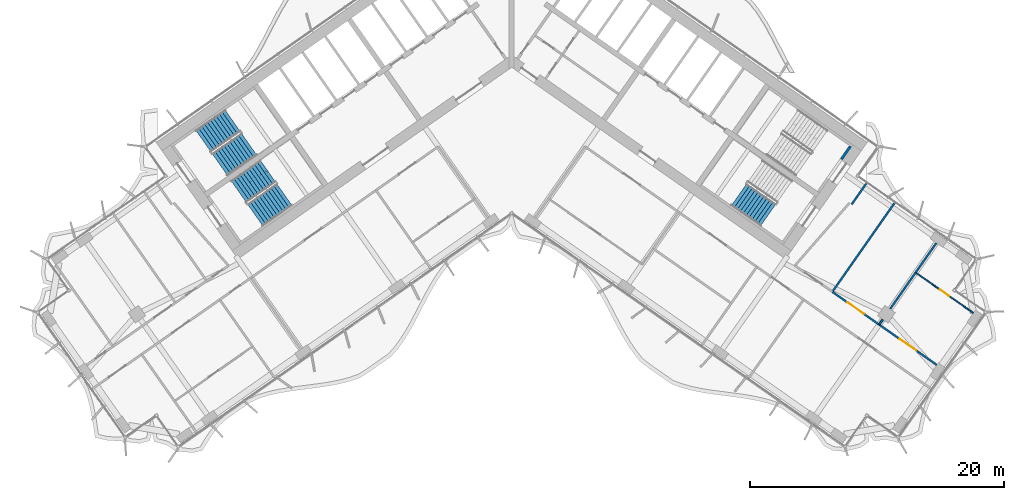
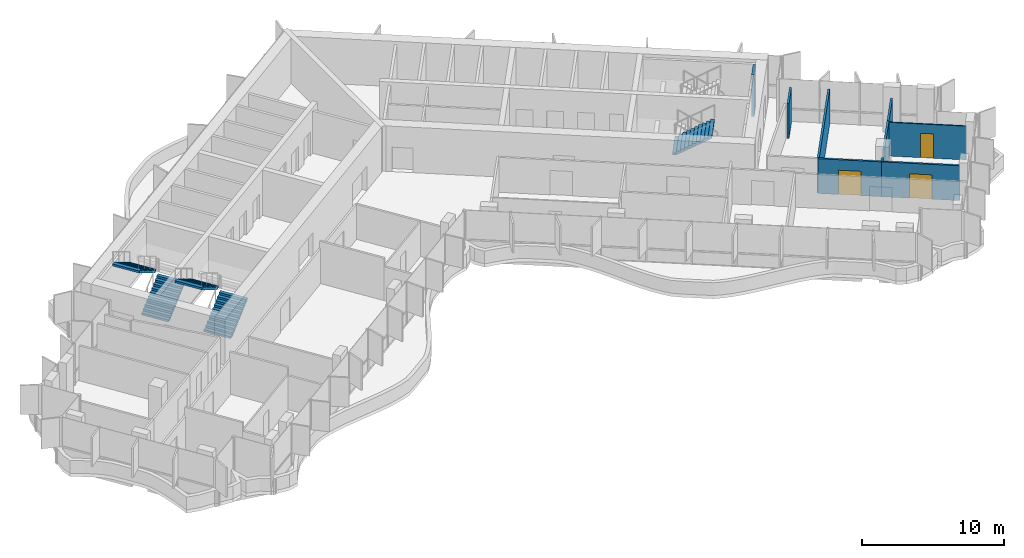
# One storey, part 17 of 23: 9 walls, 5 stair flights, 3 doors, 3 openings, 3 elements without a shape of their own.
"""IFC4 building model written with IfcOpenShell, lengths in metres."""

from ifc_helpers import new_model, si_unit, direction, frame, frame_2d, origin, place, context, subcontext, project, spatial, polyline, rectangle, outline, extrude, material, layer, layer_set, type_object, element, fill, aggregate, save


model = new_model("IFC4")

# Units and contexts
model_context = context("Model", 3, precision=1e-05, world=origin(), true_north=direction((0.0, 1.0)))
body_context = subcontext(model_context, "Body", "Model", "MODEL_VIEW")
ifc_project = project(units=[si_unit("LENGTHUNIT", "METRE"), si_unit("AREAUNIT", "SQUARE_METRE"), si_unit("VOLUMEUNIT", "CUBIC_METRE"), si_unit("PLANEANGLEUNIT", "RADIAN"), si_unit("MASSUNIT", "GRAM", prefix="KILO")], contexts=[model_context])

# Site, building, storey
site_placement = place(None, origin())
site = spatial("IfcSite", under=ifc_project, at=site_placement, CompositionType="ELEMENT")
building_placement = place(site_placement, origin())
building = spatial("IfcBuilding", under=site, at=building_placement, Name="Tel Ilan Convention Tower", CompositionType="ELEMENT")
storey_placement = place(building_placement, frame((0.0, 0.0, 171.0)))
storey = spatial("IfcBuildingStorey", under=building, at=storey_placement, Name="L39", CompositionType="ELEMENT", Elevation=171.0)

# Wall, opening, door
ifc_material_1 = material(Name="Plasterboard on Steel Studs", Category="steel")
ifc_layer_1 = layer(ifc_material_1, 0.14990234375)
ifc_layer_set_1 = layer_set([ifc_layer_1], Name="Fire-rated Partition 150 EI 60")
wall_type_1 = type_object("IfcWallType", Name="Fire-rated Partition 150 EI 60", PredefinedType="PARTITIONING", material=ifc_layer_set_1)
wall_1_placement = place(storey_placement, frame((25.22802734375, -18.8857421875, 0.0), z_axis=(0.0, 0.0, 1.0), x_axis=(0.819165703328, -0.573556928727, 0.0)))
wall_1 = element("IfcWall", 1, at=wall_1_placement, inside=storey, type_object=wall_type_1, Name="Partition 002", PredefinedType="PARTITIONING", context=body_context, shape_type="SweptSolid", body=[
    extrude(rectangle(XDim=4.50390625, YDim=0.14990234375, at=frame_2d((2.251953125, 0.0))), origin(), (0.0, 0.0, 1.0), 3.0),
])
opening_1_placement = place(wall_1_placement, frame((1.451904296875, 0.0, 0.0)))
opening_1 = element("IfcOpeningElement", 2, at=opening_1_placement, cuts=wall_1, Name="Opening L39-018", PredefinedType="OPENING", context=body_context, shape_type="SweptSolid", body=[
    extrude(rectangle(XDim=1.60009765625, YDim=2.10009765625, at=frame_2d((0.800048828125, 1.050048828125))), frame((0.0, 0.0849609375, 0.0), z_axis=(0.0, -1.0, 0.0), x_axis=(1.0, 0.0, 0.0)), (0.0, 0.0, 1.0), 0.169921875),
])
ifc_material_2 = material(Name="Timber Door Leaf in Steel Frame", Category="steel")
door_type_1 = type_object("IfcDoorType", Name="Tenant Suite Entrance Fire Door 1600x2100", OperationType="NOTDEFINED", PredefinedType="DOOR", material=ifc_material_2)
door_1_placement = place(opening_1_placement, origin())
door_1 = element("IfcDoor", 3, at=door_1_placement, inside=storey, type_object=door_type_1, Name="Door L39-018", OperationType="DOUBLE_DOOR_SINGLE_SWING", OverallHeight=2.10009765625, OverallWidth=1.60009765625, PredefinedType="DOOR", context=body_context, shape_type="SweptSolid", body=[
    extrude(rectangle(XDim=1.60009765625, YDim=2.10009765625, at=frame_2d((0.800048828125, 1.050048828125))), frame((0.0, 0.02490234375, 0.0), z_axis=(0.0, -1.0, 0.0), x_axis=(1.0, 0.0, 0.0)), (0.0, 0.0, 1.0), 0.050048828125),
])
fill(opening_1, door_1)

wall_2_placement = place(storey_placement, frame((28.914306640625, -21.466796875, 0.0), z_axis=(0.0, 0.0, 1.0), x_axis=(0.819142757108, -0.573589699592, 0.0)))
wall_2 = element("IfcWall", 4, at=wall_2_placement, inside=storey, type_object=wall_type_1, Name="Partition 003", PredefinedType="PARTITIONING", context=body_context, shape_type="SweptSolid", body=[
    extrude(rectangle(XDim=5.531982421875, YDim=0.14990234375, at=frame_2d((2.76611328125, 0.0))), origin(), (0.0, 0.0, 1.0), 3.0),
])
opening_2_placement = place(wall_2_placement, frame((1.966064453125, 0.0, 0.0)))
opening_2 = element("IfcOpeningElement", 5, at=opening_2_placement, cuts=wall_2, Name="Opening L39-019", PredefinedType="OPENING", context=body_context, shape_type="SweptSolid", body=[
    extrude(rectangle(XDim=1.60009765625, YDim=2.10009765625, at=frame_2d((0.800048828125, 1.050048828125))), frame((0.0, 0.0849609375, 0.0), z_axis=(0.0, -1.0, 0.0), x_axis=(1.0, 0.0, 0.0)), (0.0, 0.0, 1.0), 0.169921875),
])
door_2_placement = place(opening_2_placement, origin())
door_2 = element("IfcDoor", 6, at=door_2_placement, inside=storey, type_object=door_type_1, Name="Door L39-019", OperationType="DOUBLE_DOOR_SINGLE_SWING", OverallHeight=2.10009765625, OverallWidth=1.60009765625, PredefinedType="DOOR", context=body_context, shape_type="SweptSolid", body=[
    extrude(rectangle(XDim=1.60009765625, YDim=2.10009765625, at=frame_2d((0.800048828125, 1.050048828125))), frame((0.0, 0.02490234375, 0.0), z_axis=(0.0, -1.0, 0.0), x_axis=(1.0, 0.0, 0.0)), (0.0, 0.0, 1.0), 0.050048828125),
])
fill(opening_2, door_2)

# Walls
wall_3_placement = place(storey_placement, frame((30.10498046875, -11.924072265625, 0.0), z_axis=(0.0, 0.0, 1.0), x_axis=(-0.573572219642, -0.819154996844, 0.0)))
element("IfcWall", 7, at=wall_3_placement, inside=storey, type_object=wall_type_1, Name="Partition 017", PredefinedType="PARTITIONING", context=body_context, shape_type="SweptSolid", body=[
    extrude(rectangle(XDim=8.499755859375, YDim=0.14990234375, at=frame_2d((4.25, 0.0))), origin(), (0.0, 0.0, 1.0), 3.0),
])
wall_4_placement = place(storey_placement, frame((26.74609375, -12.013671875, 0.0), z_axis=(0.0, 0.0, 1.0), x_axis=(0.573568836472, 0.819157365729, 0.0)))
element("IfcWall", 8, at=wall_4_placement, inside=storey, type_object=wall_type_1, Name="Partition 019", PredefinedType="PARTITIONING", context=body_context, shape_type="SweptSolid", body=[
    extrude(rectangle(XDim=2.000244140625, YDim=0.14990234375, at=frame_2d((1.0, 0.0))), origin(), (0.0, 0.0, 1.0), 3.0),
])
wall_5_placement = place(storey_placement, frame((33.406982421875, -15.053955078125, 0.0), z_axis=(0.0, 0.0, 1.0), x_axis=(-0.573560731169, -0.819163040952, 0.0)))
element("IfcWall", 9, at=wall_5_placement, inside=storey, type_object=wall_type_1, Name="Partition 020", PredefinedType="PARTITIONING", context=body_context, shape_type="SweptSolid", body=[
    extrude(rectangle(XDim=2.8310546875, YDim=0.14990234375, at=frame_2d((1.41552734375, 0.0))), origin(), (0.0, 0.0, 1.0), 3.0),
])
wall_6_placement = place(storey_placement, frame((31.784912109375, -17.37060546875, 0.0), z_axis=(0.0, 0.0, 1.0), x_axis=(-0.573598798985, -0.819136385349, 0.0)))
element("IfcWall", 10, at=wall_6_placement, inside=storey, type_object=wall_type_1, Name="Partition 021", PredefinedType="PARTITIONING", context=body_context, shape_type="SweptSolid", body=[
    extrude(rectangle(XDim=3.482177734375, YDim=0.14990234375, at=frame_2d((1.7412109375, 0.0))), origin(), (0.0, 0.0, 1.0), 3.0),
])
wall_7_placement = place(storey_placement, frame((29.191162109375, -21.07470703125, 0.0), z_axis=(0.0, 0.0, 1.0), x_axis=(-0.57322336738, -0.819399152483, 0.0)))
element("IfcWall", 11, at=wall_7_placement, inside=storey, type_object=wall_type_1, Name="Partition 022", PredefinedType="PARTITIONING", context=body_context, shape_type="SweptSolid", body=[
    extrude(rectangle(XDim=0.47998046875, YDim=0.14990234375, at=frame_2d((0.239990234375, 0.0))), origin(), (0.0, 0.0, 1.0), 3.0),
])

# Wall, opening, door
ifc_material_3 = material(Name="Plasterboard on Steel Studs", Category="steel")
ifc_layer_2 = layer(ifc_material_3, 0.10009765625)
ifc_layer_set_2 = layer_set([ifc_layer_2], Name="Plasterboard Partition 100")
wall_type_2 = type_object("IfcWallType", Name="Plasterboard Partition 100", PredefinedType="PARTITIONING", material=ifc_layer_set_2)
wall_8_placement = place(storey_placement, frame((31.784423828125, -17.371337890625, 0.0), z_axis=(0.0, 0.0, 1.0), x_axis=(0.819144797823, -0.573586785238, 0.0)))
wall_8 = element("IfcWall", 12, at=wall_8_placement, inside=storey, type_object=wall_type_2, Name="Partition 023", PredefinedType="PARTITIONING", context=body_context, shape_type="SweptSolid", body=[
    extrude(rectangle(XDim=5.52978515625, YDim=0.10009765625, at=frame_2d((2.764892578125, 0.0))), origin(), (0.0, 0.0, 1.0), 2.89990234375),
])
opening_3_placement = place(wall_8_placement, frame((2.31494140625, 0.0, 0.0)))
opening_3 = element("IfcOpeningElement", 13, at=opening_3_placement, cuts=wall_8, Name="Opening L39-020", PredefinedType="OPENING", context=body_context, shape_type="SweptSolid", body=[
    extrude(rectangle(XDim=0.89990234375, YDim=2.10009765625, at=frame_2d((0.449951171875, 1.050048828125))), frame((0.0, 0.06005859375, 0.0), z_axis=(0.0, -1.0, 0.0), x_axis=(1.0, 0.0, 0.0)), (0.0, 0.0, 1.0), 0.1201171875),
])
ifc_material_4 = material(Name="Timber Door Leaf in Steel Frame", Category="steel")
door_type_2 = type_object("IfcDoorType", Name="Room Timber Door 900x2100", OperationType="NOTDEFINED", PredefinedType="DOOR", material=ifc_material_4)
door_3_placement = place(opening_3_placement, origin())
door_3 = element("IfcDoor", 14, at=door_3_placement, inside=storey, type_object=door_type_2, Name="Door L39-020", OperationType="SINGLE_SWING_RIGHT", OverallHeight=2.10009765625, OverallWidth=0.89990234375, PredefinedType="DOOR", context=body_context, shape_type="SweptSolid", body=[
    extrude(rectangle(XDim=0.89990234375, YDim=2.10009765625, at=frame_2d((0.449951171875, 1.050048828125))), frame((0.0, 0.02490234375, 0.0), z_axis=(0.0, -1.0, 0.0), x_axis=(1.0, 0.0, 0.0)), (0.0, 0.0, 1.0), 0.050048828125),
])
fill(opening_3, door_3)

# Wall
ifc_material_5 = material(Name="Concrete C30/37", Category="concrete")
ifc_layer_3 = layer(ifc_material_5, 0.199951171875)
ifc_layer_set_3 = layer_set([ifc_layer_3], Name="Stair and Shaft Lining Wall 200 mm C30/37")
wall_type_3 = type_object("IfcWallType", Name="Stair and Shaft Lining Wall 200 mm C30/37", PredefinedType="SOLIDWALL", material=ifc_layer_set_3)
wall_9_placement = place(storey_placement, frame((25.939697265625, -8.4580078125, 0.0), z_axis=(0.0, 0.0, 1.0), x_axis=(0.573619628835, 0.819121798889, 0.0)))
element("IfcWall", 15, at=wall_9_placement, inside=storey, type_object=wall_type_3, Name="L39 core wall lining-S3-u1-1", PredefinedType="SOLIDWALL", context=body_context, shape_type="SweptSolid", body=[
    extrude(rectangle(XDim=1.25, YDim=0.199951171875, at=frame_2d((0.625, 0.0))), origin(), (0.0, 0.0, 1.0), 3.6201171875),
])

# Stair, stair flights
ifc_material_6 = material(Name="Concrete C40/50", Category="concrete")
stair_type = type_object("IfcStairType", Name="Pressurised Exit Stair 22 risers 177 mm", PredefinedType="HALF_TURN_STAIR", material=ifc_material_6)
stair_1_placement = place(storey_placement, origin())
stair_1 = element("IfcStair", 16, at=stair_1_placement, inside=storey, type_object=stair_type, Name="L39 Pressurised Stair S1", PredefinedType="HALF_TURN_STAIR")
ifc_material_7 = material(Name="Precast Concrete C40/50", Category="concrete")
stair_flight_type = type_object("IfcStairFlightType", Name="Concrete Stair Flight 2100 mm 22 risers 177 mm", PredefinedType="STRAIGHT", material=ifc_material_7)
stair_flight_1_placement = place(storey_placement, frame((-22.9619140625, -8.87548828125, 0.0), z_axis=(0.0, 0.0, 1.0), x_axis=(0.819152044289, 0.573576436351, 0.0)))
stair_flight_1 = element("IfcStairFlight", 17, at=stair_flight_1_placement, type_object=stair_flight_type, Name="S1 flight 1", NumberOfRisers=11, NumberOfTreads=10, PredefinedType="STRAIGHT", RiserHeight=0.177272727, TreadLength=0.28, context=body_context, shape_type="SweptSolid", body=[
    extrude(outline(polyline([(0.0, 0.0), (0.0, 0.17724609375), (0.280029296875, 0.17724609375), (0.280029296875, 0.3544921875), (0.56005859375, 0.3544921875), (0.56005859375, 0.53173828125), (0.840087890625, 0.53173828125), (0.840087890625, 0.708984375), (1.1201171875, 0.708984375), (1.1201171875, 0.886474609375), (1.39990234375, 0.886474609375), (1.39990234375, 1.063720703125), (1.679931640625, 1.063720703125), (1.679931640625, 1.240966796875), (1.9599609375, 1.240966796875), (1.9599609375, 1.418212890625), (2.239990234375, 1.418212890625), (2.239990234375, 1.595458984375), (2.52001953125, 1.595458984375), (2.52001953125, 1.772705078125), (2.800048828125, 1.772705078125), (2.800048828125, 1.949951171875), (2.800048828125, 1.59521484375), (0.2802734375, 0.0), (0.0, 0.0)])), frame((0.0, -0.100341796875, 0.0), z_axis=(0.0, -1.0, 0.0), x_axis=(1.0, 0.0, 0.0)), (0.0, 0.0, 1.0), 0.94970703125),
    extrude(outline(polyline([(0.0, 0.0), (0.0, 0.17724609375), (0.280029296875, 0.17724609375), (0.280029296875, 0.3544921875), (0.56005859375, 0.3544921875), (0.56005859375, 0.53173828125), (0.840087890625, 0.53173828125), (0.840087890625, 0.708984375), (1.1201171875, 0.708984375), (1.1201171875, 0.886474609375), (1.39990234375, 0.886474609375), (1.39990234375, 1.063720703125), (1.679931640625, 1.063720703125), (1.679931640625, 1.240966796875), (1.9599609375, 1.240966796875), (1.9599609375, 1.418212890625), (2.239990234375, 1.418212890625), (2.239990234375, 1.595458984375), (2.52001953125, 1.595458984375), (2.52001953125, 1.772705078125), (2.800048828125, 1.772705078125), (2.800048828125, 1.949951171875), (2.800048828125, 1.59521484375), (0.2802734375, 0.0), (0.0, 0.0)])), frame((0.0, -0.000244140625, 0.0), z_axis=(0.0, -1.0, 0.0), x_axis=(1.0, 0.0, 0.0)), (0.0, 0.0, 1.0), 0.099609375),
    extrude(outline(polyline([(0.0, 0.0), (0.0, 0.17724609375), (0.280029296875, 0.17724609375), (0.280029296875, 0.3544921875), (0.56005859375, 0.3544921875), (0.56005859375, 0.53173828125), (0.840087890625, 0.53173828125), (0.840087890625, 0.708984375), (1.1201171875, 0.708984375), (1.1201171875, 0.886474609375), (1.39990234375, 0.886474609375), (1.39990234375, 1.063720703125), (1.679931640625, 1.063720703125), (1.679931640625, 1.240966796875), (1.9599609375, 1.240966796875), (1.9599609375, 1.418212890625), (2.239990234375, 1.418212890625), (2.239990234375, 1.595458984375), (2.52001953125, 1.595458984375), (2.52001953125, 1.772705078125), (2.800048828125, 1.772705078125), (2.800048828125, 1.949951171875), (2.800048828125, 1.59521484375), (0.2802734375, 0.0), (0.0, 0.0)])), frame((0.0, 0.099853515625, 0.0), z_axis=(0.0, -1.0, 0.0), x_axis=(1.0, 0.0, 0.0)), (0.0, 0.0, 1.0), 0.099609375),
    extrude(outline(polyline([(0.0, 0.0), (0.0, 0.17724609375), (0.280029296875, 0.17724609375), (0.280029296875, 0.3544921875), (0.56005859375, 0.3544921875), (0.56005859375, 0.53173828125), (0.840087890625, 0.53173828125), (0.840087890625, 0.708984375), (1.1201171875, 0.708984375), (1.1201171875, 0.886474609375), (1.39990234375, 0.886474609375), (1.39990234375, 1.063720703125), (1.679931640625, 1.063720703125), (1.679931640625, 1.240966796875), (1.9599609375, 1.240966796875), (1.9599609375, 1.418212890625), (2.239990234375, 1.418212890625), (2.239990234375, 1.595458984375), (2.52001953125, 1.595458984375), (2.52001953125, 1.772705078125), (2.800048828125, 1.772705078125), (2.800048828125, 1.949951171875), (2.800048828125, 1.59521484375), (0.2802734375, 0.0), (0.0, 0.0)])), frame((0.0, 1.050048828125, 0.0), z_axis=(0.0, -1.0, 0.0), x_axis=(1.0, 0.0, 0.0)), (0.0, 0.0, 1.0), 0.94970703125),
])
stair_flight_2_placement = place(storey_placement, frame((-21.958740234375, -5.42626953125, 1.949951171875), z_axis=(0.0, 0.0, 1.0), x_axis=(-0.819152044289, -0.573576436351, 0.0)))
stair_flight_2 = element("IfcStairFlight", 18, at=stair_flight_2_placement, type_object=stair_flight_type, Name="S1 flight 2", NumberOfRisers=11, NumberOfTreads=10, PredefinedType="STRAIGHT", RiserHeight=0.177272727, TreadLength=0.28, context=body_context, shape_type="SweptSolid", body=[
    extrude(outline(polyline([(0.0, 0.0), (0.0, 0.17724609375), (0.280029296875, 0.17724609375), (0.280029296875, 0.3544921875), (0.56005859375, 0.3544921875), (0.56005859375, 0.53173828125), (0.840087890625, 0.53173828125), (0.840087890625, 0.708984375), (1.1201171875, 0.708984375), (1.1201171875, 0.886474609375), (1.39990234375, 0.886474609375), (1.39990234375, 1.063720703125), (1.679931640625, 1.063720703125), (1.679931640625, 1.240966796875), (1.9599609375, 1.240966796875), (1.9599609375, 1.418212890625), (2.239990234375, 1.418212890625), (2.239990234375, 1.595458984375), (2.52001953125, 1.595458984375), (2.52001953125, 1.772705078125), (2.800048828125, 1.772705078125), (2.800048828125, 1.949951171875), (2.800048828125, 1.59521484375), (0.2802734375, 0.0), (0.0, 0.0)])), frame((0.0, -0.100341796875, 0.0), z_axis=(0.0, -1.0, 0.0), x_axis=(1.0, 0.0, 0.0)), (0.0, 0.0, 1.0), 0.94970703125),
    extrude(outline(polyline([(0.0, 0.0), (0.0, 0.17724609375), (0.280029296875, 0.17724609375), (0.280029296875, 0.3544921875), (0.56005859375, 0.3544921875), (0.56005859375, 0.53173828125), (0.840087890625, 0.53173828125), (0.840087890625, 0.708984375), (1.1201171875, 0.708984375), (1.1201171875, 0.886474609375), (1.39990234375, 0.886474609375), (1.39990234375, 1.063720703125), (1.679931640625, 1.063720703125), (1.679931640625, 1.240966796875), (1.9599609375, 1.240966796875), (1.9599609375, 1.418212890625), (2.239990234375, 1.418212890625), (2.239990234375, 1.595458984375), (2.52001953125, 1.595458984375), (2.52001953125, 1.772705078125), (2.800048828125, 1.772705078125), (2.800048828125, 1.949951171875), (2.800048828125, 1.59521484375), (0.2802734375, 0.0), (0.0, 0.0)])), frame((0.0, -0.000244140625, 0.0), z_axis=(0.0, -1.0, 0.0), x_axis=(1.0, 0.0, 0.0)), (0.0, 0.0, 1.0), 0.099609375),
    extrude(outline(polyline([(0.0, 0.0), (0.0, 0.17724609375), (0.280029296875, 0.17724609375), (0.280029296875, 0.3544921875), (0.56005859375, 0.3544921875), (0.56005859375, 0.53173828125), (0.840087890625, 0.53173828125), (0.840087890625, 0.708984375), (1.1201171875, 0.708984375), (1.1201171875, 0.886474609375), (1.39990234375, 0.886474609375), (1.39990234375, 1.063720703125), (1.679931640625, 1.063720703125), (1.679931640625, 1.240966796875), (1.9599609375, 1.240966796875), (1.9599609375, 1.418212890625), (2.239990234375, 1.418212890625), (2.239990234375, 1.595458984375), (2.52001953125, 1.595458984375), (2.52001953125, 1.772705078125), (2.800048828125, 1.772705078125), (2.800048828125, 1.949951171875), (2.800048828125, 1.59521484375), (0.2802734375, 0.0), (0.0, 0.0)])), frame((0.0, 0.099853515625, 0.0), z_axis=(0.0, -1.0, 0.0), x_axis=(1.0, 0.0, 0.0)), (0.0, 0.0, 1.0), 0.099609375),
    extrude(outline(polyline([(0.0, 0.0), (0.0, 0.17724609375), (0.280029296875, 0.17724609375), (0.280029296875, 0.3544921875), (0.56005859375, 0.3544921875), (0.56005859375, 0.53173828125), (0.840087890625, 0.53173828125), (0.840087890625, 0.708984375), (1.1201171875, 0.708984375), (1.1201171875, 0.886474609375), (1.39990234375, 0.886474609375), (1.39990234375, 1.063720703125), (1.679931640625, 1.063720703125), (1.679931640625, 1.240966796875), (1.9599609375, 1.240966796875), (1.9599609375, 1.418212890625), (2.239990234375, 1.418212890625), (2.239990234375, 1.595458984375), (2.52001953125, 1.595458984375), (2.52001953125, 1.772705078125), (2.800048828125, 1.772705078125), (2.800048828125, 1.949951171875), (2.800048828125, 1.59521484375), (0.2802734375, 0.0), (0.0, 0.0)])), frame((0.0, 1.050048828125, 0.0), z_axis=(0.0, -1.0, 0.0), x_axis=(1.0, 0.0, 0.0)), (0.0, 0.0, 1.0), 0.94970703125),
])
aggregate(stair_1, [stair_flight_1, stair_flight_2])

stair_2_placement = place(storey_placement, origin())
stair_2 = element("IfcStair", 19, at=stair_2_placement, inside=storey, type_object=stair_type, Name="L39 Pressurised Stair S2", PredefinedType="HALF_TURN_STAIR")
stair_flight_3_placement = place(storey_placement, frame((-20.179931640625, -12.848388671875, 0.0), z_axis=(0.0, 0.0, 1.0), x_axis=(0.819152044289, 0.573576436351, 0.0)))
stair_flight_3 = element("IfcStairFlight", 20, at=stair_flight_3_placement, type_object=stair_flight_type, Name="S2 flight 1", NumberOfRisers=11, NumberOfTreads=10, PredefinedType="STRAIGHT", RiserHeight=0.177272727, TreadLength=0.28, context=body_context, shape_type="SweptSolid", body=[
    extrude(outline(polyline([(0.0, 0.0), (0.0, 0.17724609375), (0.280029296875, 0.17724609375), (0.280029296875, 0.3544921875), (0.56005859375, 0.3544921875), (0.56005859375, 0.53173828125), (0.840087890625, 0.53173828125), (0.840087890625, 0.708984375), (1.1201171875, 0.708984375), (1.1201171875, 0.886474609375), (1.39990234375, 0.886474609375), (1.39990234375, 1.063720703125), (1.679931640625, 1.063720703125), (1.679931640625, 1.240966796875), (1.9599609375, 1.240966796875), (1.9599609375, 1.418212890625), (2.239990234375, 1.418212890625), (2.239990234375, 1.595458984375), (2.52001953125, 1.595458984375), (2.52001953125, 1.772705078125), (2.800048828125, 1.772705078125), (2.800048828125, 1.949951171875), (2.800048828125, 1.59521484375), (0.2802734375, 0.0), (0.0, 0.0)])), frame((0.0, -0.100341796875, 0.0), z_axis=(0.0, -1.0, 0.0), x_axis=(1.0, 0.0, 0.0)), (0.0, 0.0, 1.0), 0.94970703125),
    extrude(outline(polyline([(0.0, 0.0), (0.0, 0.17724609375), (0.280029296875, 0.17724609375), (0.280029296875, 0.3544921875), (0.56005859375, 0.3544921875), (0.56005859375, 0.53173828125), (0.840087890625, 0.53173828125), (0.840087890625, 0.708984375), (1.1201171875, 0.708984375), (1.1201171875, 0.886474609375), (1.39990234375, 0.886474609375), (1.39990234375, 1.063720703125), (1.679931640625, 1.063720703125), (1.679931640625, 1.240966796875), (1.9599609375, 1.240966796875), (1.9599609375, 1.418212890625), (2.239990234375, 1.418212890625), (2.239990234375, 1.595458984375), (2.52001953125, 1.595458984375), (2.52001953125, 1.772705078125), (2.800048828125, 1.772705078125), (2.800048828125, 1.949951171875), (2.800048828125, 1.59521484375), (0.2802734375, 0.0), (0.0, 0.0)])), frame((0.0, -0.000244140625, 0.0), z_axis=(0.0, -1.0, 0.0), x_axis=(1.0, 0.0, 0.0)), (0.0, 0.0, 1.0), 0.099609375),
    extrude(outline(polyline([(0.0, 0.0), (0.0, 0.17724609375), (0.280029296875, 0.17724609375), (0.280029296875, 0.3544921875), (0.56005859375, 0.3544921875), (0.56005859375, 0.53173828125), (0.840087890625, 0.53173828125), (0.840087890625, 0.708984375), (1.1201171875, 0.708984375), (1.1201171875, 0.886474609375), (1.39990234375, 0.886474609375), (1.39990234375, 1.063720703125), (1.679931640625, 1.063720703125), (1.679931640625, 1.240966796875), (1.9599609375, 1.240966796875), (1.9599609375, 1.418212890625), (2.239990234375, 1.418212890625), (2.239990234375, 1.595458984375), (2.52001953125, 1.595458984375), (2.52001953125, 1.772705078125), (2.800048828125, 1.772705078125), (2.800048828125, 1.949951171875), (2.800048828125, 1.59521484375), (0.2802734375, 0.0), (0.0, 0.0)])), frame((0.0, 0.099853515625, 0.0), z_axis=(0.0, -1.0, 0.0), x_axis=(1.0, 0.0, 0.0)), (0.0, 0.0, 1.0), 0.099609375),
    extrude(outline(polyline([(0.0, 0.0), (0.0, 0.17724609375), (0.280029296875, 0.17724609375), (0.280029296875, 0.3544921875), (0.56005859375, 0.3544921875), (0.56005859375, 0.53173828125), (0.840087890625, 0.53173828125), (0.840087890625, 0.708984375), (1.1201171875, 0.708984375), (1.1201171875, 0.886474609375), (1.39990234375, 0.886474609375), (1.39990234375, 1.063720703125), (1.679931640625, 1.063720703125), (1.679931640625, 1.240966796875), (1.9599609375, 1.240966796875), (1.9599609375, 1.418212890625), (2.239990234375, 1.418212890625), (2.239990234375, 1.595458984375), (2.52001953125, 1.595458984375), (2.52001953125, 1.772705078125), (2.800048828125, 1.772705078125), (2.800048828125, 1.949951171875), (2.800048828125, 1.59521484375), (0.2802734375, 0.0), (0.0, 0.0)])), frame((0.0, 1.050048828125, 0.0), z_axis=(0.0, -1.0, 0.0), x_axis=(1.0, 0.0, 0.0)), (0.0, 0.0, 1.0), 0.94970703125),
])
stair_flight_4_placement = place(storey_placement, frame((-19.177001953125, -9.399169921875, 1.949951171875), z_axis=(0.0, 0.0, 1.0), x_axis=(-0.819152044289, -0.573576436351, 0.0)))
stair_flight_4 = element("IfcStairFlight", 21, at=stair_flight_4_placement, type_object=stair_flight_type, Name="S2 flight 2", NumberOfRisers=11, NumberOfTreads=10, PredefinedType="STRAIGHT", RiserHeight=0.177272727, TreadLength=0.28, context=body_context, shape_type="SweptSolid", body=[
    extrude(outline(polyline([(0.0, 0.0), (0.0, 0.17724609375), (0.280029296875, 0.17724609375), (0.280029296875, 0.3544921875), (0.56005859375, 0.3544921875), (0.56005859375, 0.53173828125), (0.840087890625, 0.53173828125), (0.840087890625, 0.708984375), (1.1201171875, 0.708984375), (1.1201171875, 0.886474609375), (1.39990234375, 0.886474609375), (1.39990234375, 1.063720703125), (1.679931640625, 1.063720703125), (1.679931640625, 1.240966796875), (1.9599609375, 1.240966796875), (1.9599609375, 1.418212890625), (2.239990234375, 1.418212890625), (2.239990234375, 1.595458984375), (2.52001953125, 1.595458984375), (2.52001953125, 1.772705078125), (2.800048828125, 1.772705078125), (2.800048828125, 1.949951171875), (2.800048828125, 1.59521484375), (0.2802734375, 0.0), (0.0, 0.0)])), frame((0.0, -0.100341796875, 0.0), z_axis=(0.0, -1.0, 0.0), x_axis=(1.0, 0.0, 0.0)), (0.0, 0.0, 1.0), 0.94970703125),
    extrude(outline(polyline([(0.0, 0.0), (0.0, 0.17724609375), (0.280029296875, 0.17724609375), (0.280029296875, 0.3544921875), (0.56005859375, 0.3544921875), (0.56005859375, 0.53173828125), (0.840087890625, 0.53173828125), (0.840087890625, 0.708984375), (1.1201171875, 0.708984375), (1.1201171875, 0.886474609375), (1.39990234375, 0.886474609375), (1.39990234375, 1.063720703125), (1.679931640625, 1.063720703125), (1.679931640625, 1.240966796875), (1.9599609375, 1.240966796875), (1.9599609375, 1.418212890625), (2.239990234375, 1.418212890625), (2.239990234375, 1.595458984375), (2.52001953125, 1.595458984375), (2.52001953125, 1.772705078125), (2.800048828125, 1.772705078125), (2.800048828125, 1.949951171875), (2.800048828125, 1.59521484375), (0.2802734375, 0.0), (0.0, 0.0)])), frame((0.0, -0.000244140625, 0.0), z_axis=(0.0, -1.0, 0.0), x_axis=(1.0, 0.0, 0.0)), (0.0, 0.0, 1.0), 0.099609375),
    extrude(outline(polyline([(0.0, 0.0), (0.0, 0.17724609375), (0.280029296875, 0.17724609375), (0.280029296875, 0.3544921875), (0.56005859375, 0.3544921875), (0.56005859375, 0.53173828125), (0.840087890625, 0.53173828125), (0.840087890625, 0.708984375), (1.1201171875, 0.708984375), (1.1201171875, 0.886474609375), (1.39990234375, 0.886474609375), (1.39990234375, 1.063720703125), (1.679931640625, 1.063720703125), (1.679931640625, 1.240966796875), (1.9599609375, 1.240966796875), (1.9599609375, 1.418212890625), (2.239990234375, 1.418212890625), (2.239990234375, 1.595458984375), (2.52001953125, 1.595458984375), (2.52001953125, 1.772705078125), (2.800048828125, 1.772705078125), (2.800048828125, 1.949951171875), (2.800048828125, 1.59521484375), (0.2802734375, 0.0), (0.0, 0.0)])), frame((0.0, 0.099853515625, 0.0), z_axis=(0.0, -1.0, 0.0), x_axis=(1.0, 0.0, 0.0)), (0.0, 0.0, 1.0), 0.099609375),
    extrude(outline(polyline([(0.0, 0.0), (0.0, 0.17724609375), (0.280029296875, 0.17724609375), (0.280029296875, 0.3544921875), (0.56005859375, 0.3544921875), (0.56005859375, 0.53173828125), (0.840087890625, 0.53173828125), (0.840087890625, 0.708984375), (1.1201171875, 0.708984375), (1.1201171875, 0.886474609375), (1.39990234375, 0.886474609375), (1.39990234375, 1.063720703125), (1.679931640625, 1.063720703125), (1.679931640625, 1.240966796875), (1.9599609375, 1.240966796875), (1.9599609375, 1.418212890625), (2.239990234375, 1.418212890625), (2.239990234375, 1.595458984375), (2.52001953125, 1.595458984375), (2.52001953125, 1.772705078125), (2.800048828125, 1.772705078125), (2.800048828125, 1.949951171875), (2.800048828125, 1.59521484375), (0.2802734375, 0.0), (0.0, 0.0)])), frame((0.0, 1.050048828125, 0.0), z_axis=(0.0, -1.0, 0.0), x_axis=(1.0, 0.0, 0.0)), (0.0, 0.0, 1.0), 0.94970703125),
])
aggregate(stair_2, [stair_flight_3, stair_flight_4])

# Stair, stair flight
stair_3_placement = place(storey_placement, origin())
stair_3 = element("IfcStair", 22, at=stair_3_placement, inside=storey, type_object=stair_type, Name="L39 Pressurised Stair S4", PredefinedType="HALF_TURN_STAIR")
stair_flight_5_placement = place(storey_placement, frame((17.886474609375, -11.242431640625, 1.949951171875), z_axis=(0.0, 0.0, 1.0), x_axis=(0.819152044289, -0.573576436351, 0.0)))
stair_flight_5 = element("IfcStairFlight", 23, at=stair_flight_5_placement, type_object=stair_flight_type, Name="S4 flight 2", NumberOfRisers=11, NumberOfTreads=10, PredefinedType="STRAIGHT", RiserHeight=0.177272727, TreadLength=0.28, context=body_context, shape_type="SweptSolid", body=[
    extrude(outline(polyline([(0.0, 0.0), (0.0, 0.17724609375), (0.280029296875, 0.17724609375), (0.280029296875, 0.3544921875), (0.56005859375, 0.3544921875), (0.56005859375, 0.53173828125), (0.840087890625, 0.53173828125), (0.840087890625, 0.708984375), (1.1201171875, 0.708984375), (1.1201171875, 0.886474609375), (1.39990234375, 0.886474609375), (1.39990234375, 1.063720703125), (1.679931640625, 1.063720703125), (1.679931640625, 1.240966796875), (1.9599609375, 1.240966796875), (1.9599609375, 1.418212890625), (2.239990234375, 1.418212890625), (2.239990234375, 1.595458984375), (2.52001953125, 1.595458984375), (2.52001953125, 1.772705078125), (2.800048828125, 1.772705078125), (2.800048828125, 1.949951171875), (2.800048828125, 1.59521484375), (0.2802734375, 0.0), (0.0, 0.0)])), frame((0.0, -0.100341796875, 0.0), z_axis=(0.0, -1.0, 0.0), x_axis=(1.0, 0.0, 0.0)), (0.0, 0.0, 1.0), 0.94970703125),
    extrude(outline(polyline([(0.0, 0.0), (0.0, 0.17724609375), (0.280029296875, 0.17724609375), (0.280029296875, 0.3544921875), (0.56005859375, 0.3544921875), (0.56005859375, 0.53173828125), (0.840087890625, 0.53173828125), (0.840087890625, 0.708984375), (1.1201171875, 0.708984375), (1.1201171875, 0.886474609375), (1.39990234375, 0.886474609375), (1.39990234375, 1.063720703125), (1.679931640625, 1.063720703125), (1.679931640625, 1.240966796875), (1.9599609375, 1.240966796875), (1.9599609375, 1.418212890625), (2.239990234375, 1.418212890625), (2.239990234375, 1.595458984375), (2.52001953125, 1.595458984375), (2.52001953125, 1.772705078125), (2.800048828125, 1.772705078125), (2.800048828125, 1.949951171875), (2.800048828125, 1.59521484375), (0.2802734375, 0.0), (0.0, 0.0)])), frame((0.0, -0.000244140625, 0.0), z_axis=(0.0, -1.0, 0.0), x_axis=(1.0, 0.0, 0.0)), (0.0, 0.0, 1.0), 0.099609375),
    extrude(outline(polyline([(0.0, 0.0), (0.0, 0.17724609375), (0.280029296875, 0.17724609375), (0.280029296875, 0.3544921875), (0.56005859375, 0.3544921875), (0.56005859375, 0.53173828125), (0.840087890625, 0.53173828125), (0.840087890625, 0.708984375), (1.1201171875, 0.708984375), (1.1201171875, 0.886474609375), (1.39990234375, 0.886474609375), (1.39990234375, 1.063720703125), (1.679931640625, 1.063720703125), (1.679931640625, 1.240966796875), (1.9599609375, 1.240966796875), (1.9599609375, 1.418212890625), (2.239990234375, 1.418212890625), (2.239990234375, 1.595458984375), (2.52001953125, 1.595458984375), (2.52001953125, 1.772705078125), (2.800048828125, 1.772705078125), (2.800048828125, 1.949951171875), (2.800048828125, 1.59521484375), (0.2802734375, 0.0), (0.0, 0.0)])), frame((0.0, 0.099853515625, 0.0), z_axis=(0.0, -1.0, 0.0), x_axis=(1.0, 0.0, 0.0)), (0.0, 0.0, 1.0), 0.099609375),
    extrude(outline(polyline([(0.0, 0.0), (0.0, 0.17724609375), (0.280029296875, 0.17724609375), (0.280029296875, 0.3544921875), (0.56005859375, 0.3544921875), (0.56005859375, 0.53173828125), (0.840087890625, 0.53173828125), (0.840087890625, 0.708984375), (1.1201171875, 0.708984375), (1.1201171875, 0.886474609375), (1.39990234375, 0.886474609375), (1.39990234375, 1.063720703125), (1.679931640625, 1.063720703125), (1.679931640625, 1.240966796875), (1.9599609375, 1.240966796875), (1.9599609375, 1.418212890625), (2.239990234375, 1.418212890625), (2.239990234375, 1.595458984375), (2.52001953125, 1.595458984375), (2.52001953125, 1.772705078125), (2.800048828125, 1.772705078125), (2.800048828125, 1.949951171875), (2.800048828125, 1.59521484375), (0.2802734375, 0.0), (0.0, 0.0)])), frame((0.0, 1.050048828125, 0.0), z_axis=(0.0, -1.0, 0.0), x_axis=(1.0, 0.0, 0.0)), (0.0, 0.0, 1.0), 0.94970703125),
])
aggregate(stair_3, [stair_flight_5])

save(model, "model.ifc")
